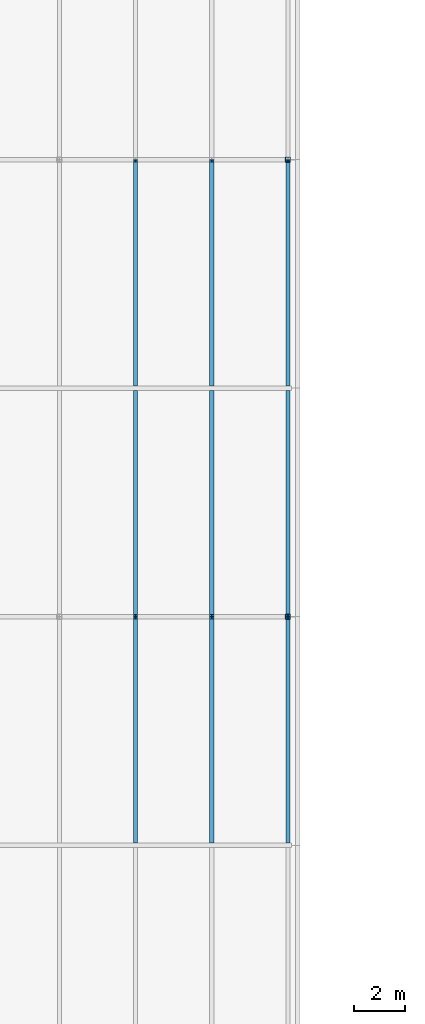
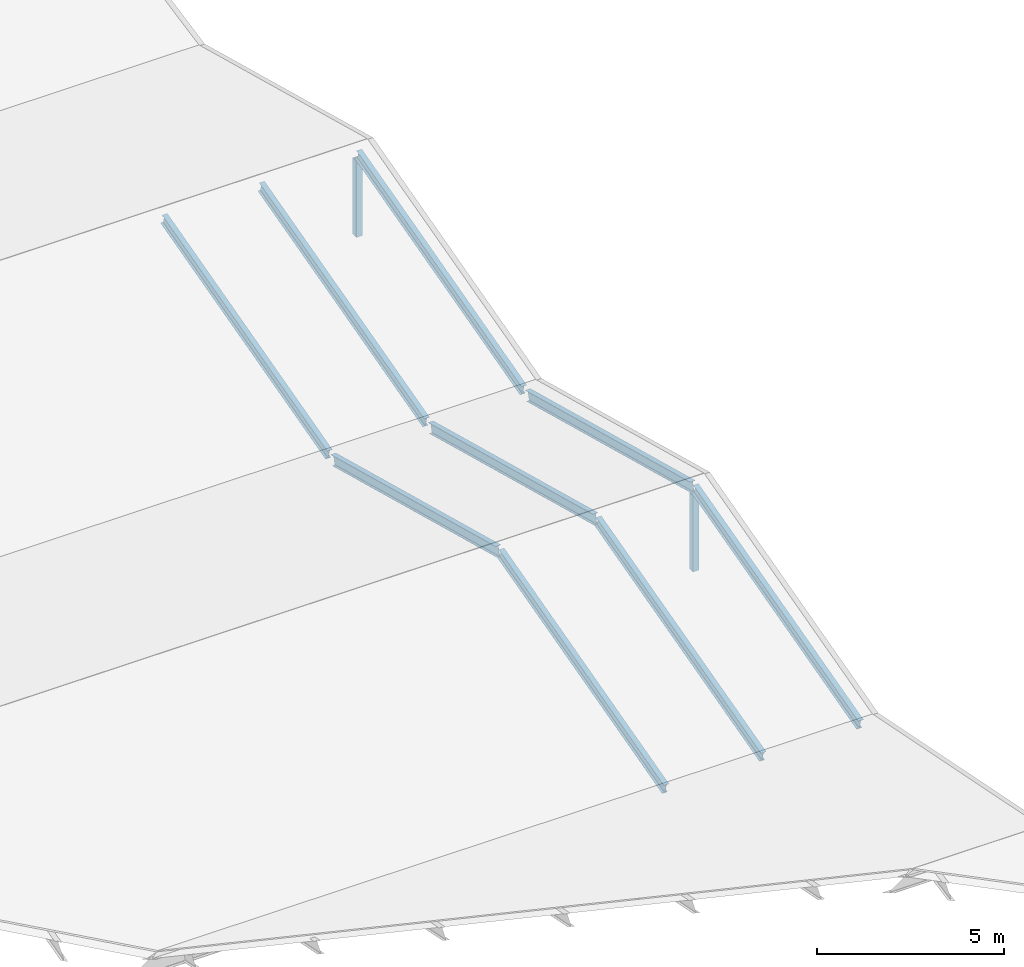
# One storey, part 12 of 29: 11 members.
"""IFC4 building model written with IfcOpenShell, lengths in metres."""

from ifc_helpers import new_model, si_unit, direction, frame, origin, origin_2d, place, context, subcontext, project, spatial, hollow_rectangle, i_section, extrude, material, material_profile, profile_set, type_object, element, save


model = new_model("IFC4")

# Units and contexts
model_context = context("Model", 3, precision=1e-05, world=origin(), true_north=direction((0.0, 1.0)))
body_context = subcontext(model_context, "Body", "Model", "MODEL_VIEW")
ifc_project = project(units=[si_unit("LENGTHUNIT", "METRE"), si_unit("AREAUNIT", "SQUARE_METRE"), si_unit("VOLUMEUNIT", "CUBIC_METRE"), si_unit("PLANEANGLEUNIT", "RADIAN"), si_unit("MASSUNIT", "GRAM", prefix="KILO")], contexts=[model_context])

# Site, building, storey
site_placement = place(None, origin())
site = spatial("IfcSite", under=ifc_project, at=site_placement, CompositionType="ELEMENT")
building_placement = place(site_placement, origin())
building = spatial("IfcBuilding", under=site, at=building_placement, Name="Azimuth Sports and Learning Centre", CompositionType="ELEMENT")
storey_placement = place(building_placement, frame((0.0, 0.0, 27.0)))
storey = spatial("IfcBuildingStorey", under=building, at=storey_placement, Name="L05", CompositionType="ELEMENT", Elevation=27.0)

# Members
ifc_material_1 = material(Name="Steel S355", Category="steel")
ifc_material_profile_1 = material_profile(ifc_material_1, i_section(OverallWidth=0.159912109375, OverallDepth=0.330078125, WebThickness=0.007568359375, FlangeThickness=0.011474609375, FilletRadius=0.01806640625, at=origin_2d()), Name="IPE 330")
ifc_profile_set_1 = profile_set([ifc_material_profile_1], Name="Steel S355")
member_type_1 = type_object("IfcMemberType", Name="Rafter IPE 330", PredefinedType="RAFTER", material=ifc_profile_set_1)
for number, where, z_axis, x_axis, name in (
    (1, (93.0, 27.137451171875, 0.310546875), (0.0, 0.966234051779, 0.257665979872), (-1.0, 0.0, 0.0), "Rafter FOLD04 38"),
    (2, (96.0, 27.137451171875, 0.310546875), (0.0, 0.966234051779, 0.257665979872), (-1.0, 0.0, 0.0), "Rafter FOLD04 39"),
    (3, (99.0, 27.137451171875, 0.310546875), (0.0, 0.966234051779, 0.257665979872), (-1.0, 0.0, 0.0), "Rafter FOLD04 40"),
    (4, (93.0, 36.04248046875, 2.66259765625), (0.0, 0.966234051779, -0.257665979872), (-1.0, 0.0, 0.0), "Rafter FOLD05 48"),
    (5, (96.0, 36.04248046875, 2.66259765625), (0.0, 0.966234051779, -0.257665979872), (-1.0, 0.0, 0.0), "Rafter FOLD05 49"),
    (6, (99.0, 36.04248046875, 2.66259765625), (0.0, 0.966234051779, -0.257665979872), (-1.0, 0.0, 0.0), "Rafter FOLD05 50"),
    (7, (93.0, 45.137451171875, 0.310546875), (0.0, 0.966234051779, 0.257665979872), (-1.0, 0.0, 0.0), "Rafter FOLD06 58"),
    (8, (96.0, 45.137451171875, 0.310546875), (0.0, 0.966234051779, 0.257665979872), (-1.0, 0.0, 0.0), "Rafter FOLD06 59"),
    (9, (99.0, 45.137451171875, 0.310546875), (0.0, 0.966234051779, 0.257665979872), (-1.0, 0.0, 0.0), "Rafter FOLD06 60"),
):
    element("IfcMember", number, at=place(storey_placement, frame(where, z_axis=z_axis, x_axis=x_axis)), inside=storey, type_object=member_type_1, Name=name, PredefinedType="RAFTER", context=body_context, shape_type="SweptSolid", body=[
        extrude(i_section(OverallWidth=0.159912109375, OverallDepth=0.330078125, WebThickness=0.007568359375, FlangeThickness=0.011474609375, FilletRadius=0.01806640625, at=origin_2d()), origin(), (0.0, 0.0, 1.0), 9.128173828125),
    ])
ifc_material_2 = material(Name="Steel S355", Category="steel")
ifc_material_profile_2 = material_profile(ifc_material_2, hollow_rectangle(XDim=0.199951171875, YDim=0.199951171875, WallThickness=0.010009765625, InnerFilletRadius=0.010009765625, OuterFilletRadius=0.014892578125, at=origin_2d()), Name="SHS 200x200x10.0")
ifc_profile_set_2 = profile_set([ifc_material_profile_2], Name="Steel S355")
member_type_2 = type_object("IfcMemberType", Name="Truss post SHS 200x200x10.0", PredefinedType="POST", material=ifc_profile_set_2)
for number, where, z_axis, x_axis, name in (
    (10, (99.0, 36.0, 0.0), (0.0, 0.0, 1.0), (1.0, 0.0, 0.0), "Ridge post 12E"),
    (11, (99.0, 54.0, 0.0), (0.0, 0.0, 1.0), (1.0, 0.0, 0.0), "Ridge post 12G"),
):
    element("IfcMember", number, at=place(storey_placement, frame(where, z_axis=z_axis, x_axis=x_axis)), inside=storey, type_object=member_type_2, Name=name, PredefinedType="POST", context=body_context, shape_type="SweptSolid", body=[
        extrude(hollow_rectangle(XDim=0.199951171875, YDim=0.199951171875, WallThickness=0.010009765625, InnerFilletRadius=0.010009765625, OuterFilletRadius=0.014892578125, at=origin_2d()), origin(), (0.0, 0.0, 1.0), 2.48486328125),
    ])

save(model, "model.ifc")
